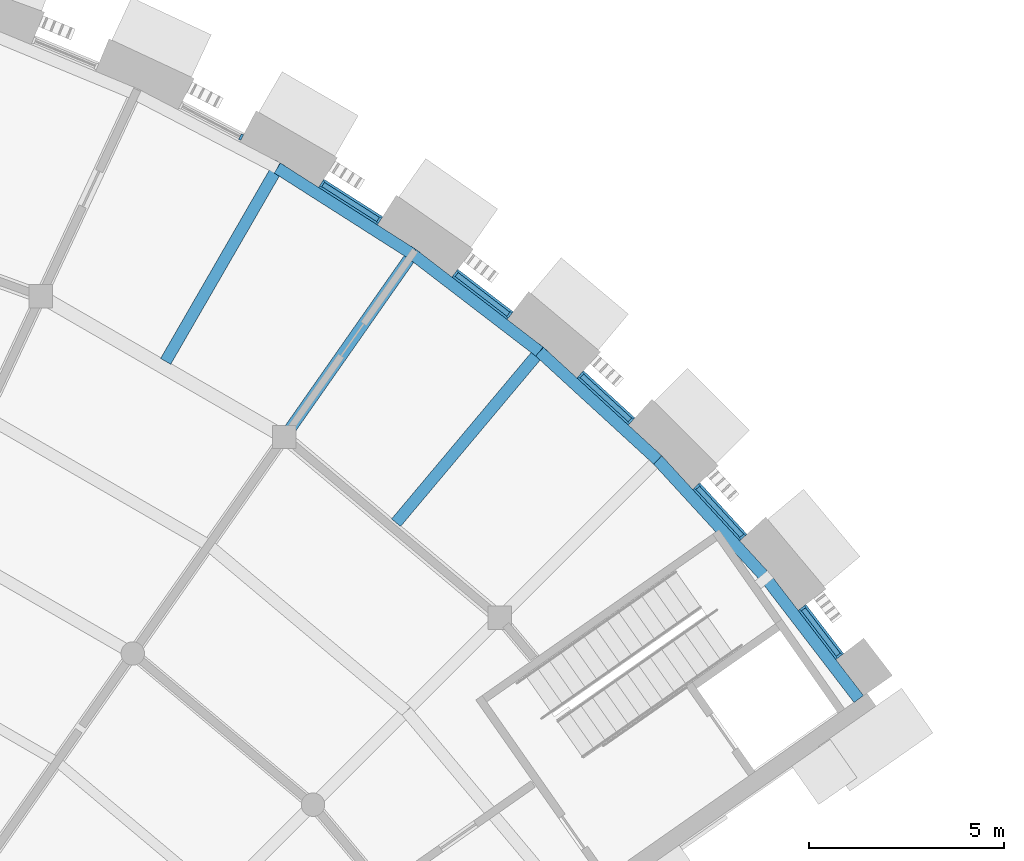
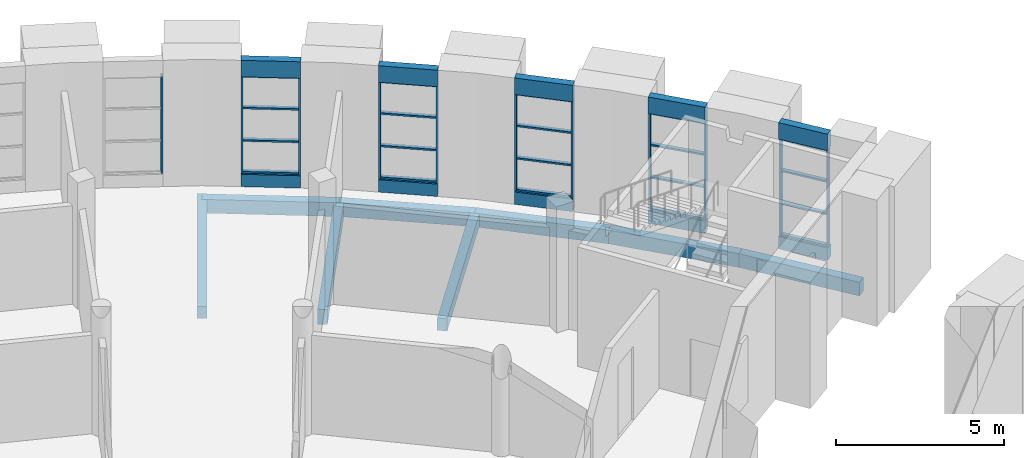
# One storey, part 25 of 66: 31 members, 18 beams, 6 elements without a shape of their own.
"""IFC4 building model written with IfcOpenShell, lengths in metres."""

from ifc_helpers import new_model, si_unit, direction, frame, origin, origin_2d, place, context, subcontext, project, spatial, rectangle, extrude, material, layer, layer_set, material_profile, profile_set, type_object, element, aggregate, save


model = new_model("IFC4")

# Units and contexts
model_context = context("Model", 3, precision=1e-05, world=origin(), true_north=direction((0.0, 1.0)))
body_context = subcontext(model_context, "Body", "Model", "MODEL_VIEW")
ifc_project = project(units=[si_unit("LENGTHUNIT", "METRE"), si_unit("AREAUNIT", "SQUARE_METRE"), si_unit("VOLUMEUNIT", "CUBIC_METRE"), si_unit("PLANEANGLEUNIT", "RADIAN"), si_unit("MASSUNIT", "GRAM", prefix="KILO")], contexts=[model_context])

# Site, building, storey
site_placement = place(None, origin())
site = spatial("IfcSite", under=ifc_project, at=site_placement, CompositionType="ELEMENT")
building_placement = place(site_placement, origin())
building = spatial("IfcBuilding", under=site, at=building_placement, Name="Volute Hill Aquarium", CompositionType="ELEMENT")
storey_placement = place(building_placement, frame((0.0, 0.0, 4.60009765625)))
storey = spatial("IfcBuildingStorey", under=building, at=storey_placement, Name="L02", CompositionType="ELEMENT", Elevation=4.60009765625)

# Beam
ifc_material_1 = material(Name="Concrete C35/45", Category="concrete")
ifc_material_profile_1 = material_profile(ifc_material_1, rectangle(XDim=0.300048828125, YDim=0.550048828125, at=origin_2d()), Name="RC beam 300x550")
ifc_profile_set_1 = profile_set([ifc_material_profile_1], Name="Concrete C35/45")
beam_type_1 = type_object("IfcBeamType", Name="Beam 300x550 C35/45", PredefinedType="BEAM", material=ifc_profile_set_1)
beam_1_placement = place(storey_placement, frame((23.681396484375, 33.82080078125, -0.565185546875), z_axis=(0.573602080408, 0.819134087529, 0.0), x_axis=(-0.819134087529, 0.573602080408, 0.0)))
element("IfcBeam", 1, at=beam_1_placement, inside=storey, type_object=beam_type_1, Name="bm/S5/L02/rad2.8", PredefinedType="BEAM", context=body_context, shape_type="SweptSolid", body=[
    extrude(rectangle(XDim=0.300048828125, YDim=0.550048828125, at=origin_2d()), origin(), (0.0, 0.0, 1.0), 5.862548828125),
])

# Curtain wall, members
ifc_material_2 = material(Name="Aluminium", Category="aluminium")
ifc_layer_1 = layer(ifc_material_2, 0.25)
ifc_layer_set_1 = layer_set([ifc_layer_1], Name="Curtain wall niche S5 module 1585")
curtain_wall_type_1 = type_object("IfcCurtainWallType", Name="Curtain wall niche S5 module 1585", PredefinedType="NOTDEFINED", material=ifc_layer_set_1)
curtain_wall_1_placement = place(storey_placement, origin())
curtain_wall_1 = element("IfcCurtainWall", 2, at=curtain_wall_1_placement, inside=storey, type_object=curtain_wall_type_1, Name="Curtain wall CW S5 L02 1", PredefinedType="NOTDEFINED")
ifc_material_3 = material(Name="Aluminium", Category="aluminium")
ifc_material_profile_2 = material_profile(ifc_material_3, rectangle(XDim=0.159912109375, YDim=0.06005859375, at=origin_2d()), Name="Curtain wall mullion S5 60x160")
ifc_profile_set_2 = profile_set([ifc_material_profile_2], Name="Aluminium")
member_type_1 = type_object("IfcMemberType", Name="Curtain wall mullion S5 60x160", PredefinedType="MULLION", material=ifc_profile_set_2)
member_1_placement = place(storey_placement, frame((37.873046875, 28.225830078125, 0.449951171875), z_axis=(0.0, 0.0, 1.0), x_axis=(-0.793360616468, -0.608751946393, 0.0)))
member_1 = element("IfcMember", 3, at=member_1_placement, type_object=member_type_1, Name="CW mullion 1", PredefinedType="MULLION", context=body_context, shape_type="SweptSolid", body=[
    extrude(rectangle(XDim=0.159912109375, YDim=0.06005859375, at=origin_2d()), origin(), (0.0, 0.0, 1.0), 3.550048828125),
])
member_2_placement = place(storey_placement, frame((36.944580078125, 29.43603515625, 0.449951171875), z_axis=(0.0, 0.0, 1.0), x_axis=(-0.793360616468, -0.608751946393, 0.0)))
member_2 = element("IfcMember", 4, at=member_2_placement, type_object=member_type_1, Name="CW mullion 2", PredefinedType="MULLION", context=body_context, shape_type="SweptSolid", body=[
    extrude(rectangle(XDim=0.159912109375, YDim=0.06005859375, at=origin_2d()), origin(), (0.0, 0.0, 1.0), 3.550048828125),
])

ifc_material_4 = material(Name="Aluminium", Category="aluminium")
ifc_layer_2 = layer(ifc_material_4, 0.25)
ifc_layer_set_2 = layer_set([ifc_layer_2], Name="Curtain wall niche S5 module 1786")
curtain_wall_type_2 = type_object("IfcCurtainWallType", Name="Curtain wall niche S5 module 1786", PredefinedType="NOTDEFINED", material=ifc_layer_set_2)
curtain_wall_2_placement = place(storey_placement, origin())
curtain_wall_2 = element("IfcCurtainWall", 5, at=curtain_wall_2_placement, inside=storey, type_object=curtain_wall_type_2, Name="Curtain wall CW S5 L02 2", PredefinedType="NOTDEFINED")
member_3_placement = place(storey_placement, frame((35.404296875, 31.271728515625, 0.449951171875), z_axis=(0.0, 0.0, 1.0), x_axis=(-0.737282446313, -0.675584631529, 0.0)))
member_3 = element("IfcMember", 6, at=member_3_placement, type_object=member_type_1, Name="CW mullion 1", PredefinedType="MULLION", context=body_context, shape_type="SweptSolid", body=[
    extrude(rectangle(XDim=0.159912109375, YDim=0.06005859375, at=origin_2d()), origin(), (0.0, 0.0, 1.0), 3.550048828125),
])
member_4_placement = place(storey_placement, frame((34.238525390625, 32.544189453125, 0.449951171875), z_axis=(0.0, 0.0, 1.0), x_axis=(-0.737282446313, -0.675584631529, 0.0)))
member_4 = element("IfcMember", 7, at=member_4_placement, type_object=member_type_1, Name="CW mullion 2", PredefinedType="MULLION", context=body_context, shape_type="SweptSolid", body=[
    extrude(rectangle(XDim=0.159912109375, YDim=0.06005859375, at=origin_2d()), origin(), (0.0, 0.0, 1.0), 3.550048828125),
])

curtain_wall_3_placement = place(storey_placement, origin())
curtain_wall_3 = element("IfcCurtainWall", 8, at=curtain_wall_3_placement, inside=storey, type_object=curtain_wall_type_2, Name="Curtain wall CW S5 L02 3", PredefinedType="NOTDEFINED")
member_5_placement = place(storey_placement, frame((32.5439453125, 34.238525390625, 0.449951171875), z_axis=(0.0, 0.0, 1.0), x_axis=(-0.675584631529, -0.737282446313, 0.0)))
member_5 = element("IfcMember", 9, at=member_5_placement, type_object=member_type_1, Name="CW mullion 1", PredefinedType="MULLION", context=body_context, shape_type="SweptSolid", body=[
    extrude(rectangle(XDim=0.159912109375, YDim=0.06005859375, at=origin_2d()), origin(), (0.0, 0.0, 1.0), 3.550048828125),
])
member_6_placement = place(storey_placement, frame((31.271728515625, 35.404296875, 0.449951171875), z_axis=(0.0, 0.0, 1.0), x_axis=(-0.675584631529, -0.737282446313, 0.0)))
member_6 = element("IfcMember", 10, at=member_6_placement, type_object=member_type_1, Name="CW mullion 2", PredefinedType="MULLION", context=body_context, shape_type="SweptSolid", body=[
    extrude(rectangle(XDim=0.159912109375, YDim=0.06005859375, at=origin_2d()), origin(), (0.0, 0.0, 1.0), 3.550048828125),
])

curtain_wall_4_placement = place(storey_placement, origin())
curtain_wall_4 = element("IfcCurtainWall", 11, at=curtain_wall_4_placement, inside=storey, type_object=curtain_wall_type_2, Name="Curtain wall CW S5 L02 4", PredefinedType="NOTDEFINED")
member_7_placement = place(storey_placement, frame((29.43603515625, 36.944580078125, 0.449951171875), z_axis=(0.0, 0.0, 1.0), x_axis=(-0.608754932261, -0.793358325379, 0.0)))
member_7 = element("IfcMember", 12, at=member_7_placement, type_object=member_type_1, Name="CW mullion 1", PredefinedType="MULLION", context=body_context, shape_type="SweptSolid", body=[
    extrude(rectangle(XDim=0.159912109375, YDim=0.06005859375, at=origin_2d()), origin(), (0.0, 0.0, 1.0), 3.550048828125),
])
member_8_placement = place(storey_placement, frame((28.067138671875, 37.9951171875, 0.449951171875), z_axis=(0.0, 0.0, 1.0), x_axis=(-0.608754932261, -0.793358325379, 0.0)))
member_8 = element("IfcMember", 13, at=member_8_placement, type_object=member_type_1, Name="CW mullion 2", PredefinedType="MULLION", context=body_context, shape_type="SweptSolid", body=[
    extrude(rectangle(XDim=0.159912109375, YDim=0.06005859375, at=origin_2d()), origin(), (0.0, 0.0, 1.0), 3.550048828125),
])

curtain_wall_5_placement = place(storey_placement, origin())
curtain_wall_5 = element("IfcCurtainWall", 14, at=curtain_wall_5_placement, inside=storey, type_object=curtain_wall_type_2, Name="Curtain wall CW S5 L02 5", PredefinedType="NOTDEFINED")
member_9_placement = place(storey_placement, frame((26.10400390625, 39.36962890625, 0.449951171875), z_axis=(0.0, 0.0, 1.0), x_axis=(-0.537309538629, -0.843385119444, 0.0)))
member_9 = element("IfcMember", 15, at=member_9_placement, type_object=member_type_1, Name="CW mullion 1", PredefinedType="MULLION", context=body_context, shape_type="SweptSolid", body=[
    extrude(rectangle(XDim=0.159912109375, YDim=0.06005859375, at=origin_2d()), origin(), (0.0, 0.0, 1.0), 3.550048828125),
])
member_10_placement = place(storey_placement, frame((24.648681640625, 40.296630859375, 0.449951171875), z_axis=(0.0, 0.0, 1.0), x_axis=(-0.537309538629, -0.843385119444, 0.0)))
member_10 = element("IfcMember", 16, at=member_10_placement, type_object=member_type_1, Name="CW mullion 2", PredefinedType="MULLION", context=body_context, shape_type="SweptSolid", body=[
    extrude(rectangle(XDim=0.159912109375, YDim=0.06005859375, at=origin_2d()), origin(), (0.0, 0.0, 1.0), 3.550048828125),
])

# Curtain wall, member
curtain_wall_6_placement = place(storey_placement, origin())
curtain_wall_6 = element("IfcCurtainWall", 17, at=curtain_wall_6_placement, inside=storey, type_object=curtain_wall_type_2, Name="Curtain wall CW S5 L02 6", PredefinedType="NOTDEFINED")
member_11_placement = place(storey_placement, frame((22.573486328125, 41.494873046875, 0.449951171875), z_axis=(0.0, 0.0, 1.0), x_axis=(-0.461755077763, -0.887007467928, 0.0)))
member_11 = element("IfcMember", 18, at=member_11_placement, type_object=member_type_1, Name="CW mullion 1", PredefinedType="MULLION", context=body_context, shape_type="SweptSolid", body=[
    extrude(rectangle(XDim=0.159912109375, YDim=0.06005859375, at=origin_2d()), origin(), (0.0, 0.0, 1.0), 3.550048828125),
])
aggregate(curtain_wall_6, [member_11])

# Member
ifc_material_5 = material(Name="Aluminium", Category="aluminium")
ifc_material_profile_3 = material_profile(ifc_material_5, rectangle(XDim=0.1298828125, YDim=0.06005859375, at=origin_2d()), Name="Curtain wall transom S5 60x130")
ifc_profile_set_3 = profile_set([ifc_material_profile_3], Name="Aluminium")
member_type_2 = type_object("IfcMemberType", Name="Curtain wall transom S5 60x130", PredefinedType="USERDEFINED", material=ifc_profile_set_3)
member_12_placement = place(storey_placement, frame((37.85498046875, 28.249755859375, 0.47998046875), z_axis=(-0.608760263302, 0.793354234768, 0.0), x_axis=(-0.793354234768, -0.608760263302, 0.0)))
member_12 = element("IfcMember", 19, at=member_12_placement, type_object=member_type_2, Name="CW transom 1.1", ObjectType="TRANSOM", PredefinedType="USERDEFINED", context=body_context, shape_type="SweptSolid", body=[
    extrude(rectangle(XDim=0.1298828125, YDim=0.06005859375, at=origin_2d()), origin(), (0.0, 0.0, 1.0), 1.46533203125),
])

member_13_placement = place(storey_placement, frame((37.85498046875, 28.249755859375, 1.63330078125), z_axis=(-0.608760263302, 0.793354234768, 0.0), x_axis=(-0.793354234768, -0.608760263302, 0.0)))
member_13 = element("IfcMember", 20, at=member_13_placement, type_object=member_type_2, Name="CW transom 1.2", ObjectType="TRANSOM", PredefinedType="USERDEFINED", context=body_context, shape_type="SweptSolid", body=[
    extrude(rectangle(XDim=0.1298828125, YDim=0.06005859375, at=origin_2d()), origin(), (0.0, 0.0, 1.0), 1.46533203125),
])

member_14_placement = place(storey_placement, frame((37.85498046875, 28.249755859375, 2.816650390625), z_axis=(-0.608760263302, 0.793354234768, 0.0), x_axis=(-0.793354234768, -0.608760263302, 0.0)))
member_14 = element("IfcMember", 21, at=member_14_placement, type_object=member_type_2, Name="CW transom 1.3", ObjectType="TRANSOM", PredefinedType="USERDEFINED", context=body_context, shape_type="SweptSolid", body=[
    extrude(rectangle(XDim=0.1298828125, YDim=0.06005859375, at=origin_2d()), origin(), (0.0, 0.0, 1.0), 1.46533203125),
])

member_15_placement = place(storey_placement, frame((37.85498046875, 28.249755859375, 3.969970703125), z_axis=(-0.608760263302, 0.793354234768, 0.0), x_axis=(-0.793354234768, -0.608760263302, 0.0)))
member_15 = element("IfcMember", 22, at=member_15_placement, type_object=member_type_2, Name="CW transom 1.4", ObjectType="TRANSOM", PredefinedType="USERDEFINED", context=body_context, shape_type="SweptSolid", body=[
    extrude(rectangle(XDim=0.1298828125, YDim=0.06005859375, at=origin_2d()), origin(), (0.0, 0.0, 1.0), 1.46533203125),
])

aggregate(curtain_wall_1, [member_1, member_2, member_12, member_13, member_14, member_15])

member_16_placement = place(storey_placement, frame((35.384033203125, 31.2939453125, 0.47998046875), z_axis=(-0.675578590257, 0.73728798199, 0.0), x_axis=(-0.73728798199, -0.675578590257, 0.0)))
member_16 = element("IfcMember", 23, at=member_16_placement, type_object=member_type_2, Name="CW transom 1.1", ObjectType="TRANSOM", PredefinedType="USERDEFINED", context=body_context, shape_type="SweptSolid", body=[
    extrude(rectangle(XDim=0.1298828125, YDim=0.06005859375, at=origin_2d()), origin(), (0.0, 0.0, 1.0), 1.66552734375),
])

member_17_placement = place(storey_placement, frame((35.384033203125, 31.2939453125, 1.63330078125), z_axis=(-0.675578590257, 0.73728798199, 0.0), x_axis=(-0.73728798199, -0.675578590257, 0.0)))
member_17 = element("IfcMember", 24, at=member_17_placement, type_object=member_type_2, Name="CW transom 1.2", ObjectType="TRANSOM", PredefinedType="USERDEFINED", context=body_context, shape_type="SweptSolid", body=[
    extrude(rectangle(XDim=0.1298828125, YDim=0.06005859375, at=origin_2d()), origin(), (0.0, 0.0, 1.0), 1.66552734375),
])

member_18_placement = place(storey_placement, frame((35.384033203125, 31.2939453125, 2.816650390625), z_axis=(-0.675578590257, 0.73728798199, 0.0), x_axis=(-0.73728798199, -0.675578590257, 0.0)))
member_18 = element("IfcMember", 25, at=member_18_placement, type_object=member_type_2, Name="CW transom 1.3", ObjectType="TRANSOM", PredefinedType="USERDEFINED", context=body_context, shape_type="SweptSolid", body=[
    extrude(rectangle(XDim=0.1298828125, YDim=0.06005859375, at=origin_2d()), origin(), (0.0, 0.0, 1.0), 1.66552734375),
])

member_19_placement = place(storey_placement, frame((35.384033203125, 31.2939453125, 3.969970703125), z_axis=(-0.675578590257, 0.73728798199, 0.0), x_axis=(-0.73728798199, -0.675578590257, 0.0)))
member_19 = element("IfcMember", 26, at=member_19_placement, type_object=member_type_2, Name="CW transom 1.4", ObjectType="TRANSOM", PredefinedType="USERDEFINED", context=body_context, shape_type="SweptSolid", body=[
    extrude(rectangle(XDim=0.1298828125, YDim=0.06005859375, at=origin_2d()), origin(), (0.0, 0.0, 1.0), 1.66552734375),
])

aggregate(curtain_wall_2, [member_3, member_4, member_16, member_17, member_18, member_19])

member_20_placement = place(storey_placement, frame((32.52197265625, 34.2587890625, 0.47998046875), z_axis=(-0.73728798199, 0.675578590257, 0.0), x_axis=(-0.675578590257, -0.73728798199, 0.0)))
member_20 = element("IfcMember", 27, at=member_20_placement, type_object=member_type_2, Name="CW transom 1.1", ObjectType="TRANSOM", PredefinedType="USERDEFINED", context=body_context, shape_type="SweptSolid", body=[
    extrude(rectangle(XDim=0.1298828125, YDim=0.06005859375, at=origin_2d()), origin(), (0.0, 0.0, 1.0), 1.66552734375),
])

member_21_placement = place(storey_placement, frame((32.52197265625, 34.2587890625, 1.63330078125), z_axis=(-0.73728798199, 0.675578590257, 0.0), x_axis=(-0.675578590257, -0.73728798199, 0.0)))
member_21 = element("IfcMember", 28, at=member_21_placement, type_object=member_type_2, Name="CW transom 1.2", ObjectType="TRANSOM", PredefinedType="USERDEFINED", context=body_context, shape_type="SweptSolid", body=[
    extrude(rectangle(XDim=0.1298828125, YDim=0.06005859375, at=origin_2d()), origin(), (0.0, 0.0, 1.0), 1.66552734375),
])

member_22_placement = place(storey_placement, frame((32.52197265625, 34.2587890625, 2.816650390625), z_axis=(-0.73728798199, 0.675578590257, 0.0), x_axis=(-0.675578590257, -0.73728798199, 0.0)))
member_22 = element("IfcMember", 29, at=member_22_placement, type_object=member_type_2, Name="CW transom 1.3", ObjectType="TRANSOM", PredefinedType="USERDEFINED", context=body_context, shape_type="SweptSolid", body=[
    extrude(rectangle(XDim=0.1298828125, YDim=0.06005859375, at=origin_2d()), origin(), (0.0, 0.0, 1.0), 1.66552734375),
])

member_23_placement = place(storey_placement, frame((32.52197265625, 34.2587890625, 3.969970703125), z_axis=(-0.73728798199, 0.675578590257, 0.0), x_axis=(-0.675578590257, -0.73728798199, 0.0)))
member_23 = element("IfcMember", 30, at=member_23_placement, type_object=member_type_2, Name="CW transom 1.4", ObjectType="TRANSOM", PredefinedType="USERDEFINED", context=body_context, shape_type="SweptSolid", body=[
    extrude(rectangle(XDim=0.1298828125, YDim=0.06005859375, at=origin_2d()), origin(), (0.0, 0.0, 1.0), 1.66552734375),
])

aggregate(curtain_wall_3, [member_5, member_6, member_20, member_21, member_22, member_23])

member_24_placement = place(storey_placement, frame((29.412353515625, 36.962890625, 0.47998046875), z_axis=(-0.793391634362, 0.608711519953, 0.0), x_axis=(-0.608711519953, -0.793391634362, 0.0)))
member_24 = element("IfcMember", 31, at=member_24_placement, type_object=member_type_2, Name="CW transom 1.1", ObjectType="TRANSOM", PredefinedType="USERDEFINED", context=body_context, shape_type="SweptSolid", body=[
    extrude(rectangle(XDim=0.1298828125, YDim=0.06005859375, at=origin_2d()), origin(), (0.0, 0.0, 1.0), 1.665771484375),
])

member_25_placement = place(storey_placement, frame((29.412353515625, 36.962890625, 1.63330078125), z_axis=(-0.793391634362, 0.608711519953, 0.0), x_axis=(-0.608711519953, -0.793391634362, 0.0)))
member_25 = element("IfcMember", 32, at=member_25_placement, type_object=member_type_2, Name="CW transom 1.2", ObjectType="TRANSOM", PredefinedType="USERDEFINED", context=body_context, shape_type="SweptSolid", body=[
    extrude(rectangle(XDim=0.1298828125, YDim=0.06005859375, at=origin_2d()), origin(), (0.0, 0.0, 1.0), 1.665771484375),
])

member_26_placement = place(storey_placement, frame((29.412353515625, 36.962890625, 2.816650390625), z_axis=(-0.793391634362, 0.608711519953, 0.0), x_axis=(-0.608711519953, -0.793391634362, 0.0)))
member_26 = element("IfcMember", 33, at=member_26_placement, type_object=member_type_2, Name="CW transom 1.3", ObjectType="TRANSOM", PredefinedType="USERDEFINED", context=body_context, shape_type="SweptSolid", body=[
    extrude(rectangle(XDim=0.1298828125, YDim=0.06005859375, at=origin_2d()), origin(), (0.0, 0.0, 1.0), 1.665771484375),
])

member_27_placement = place(storey_placement, frame((29.412353515625, 36.962890625, 3.969970703125), z_axis=(-0.793391634362, 0.608711519953, 0.0), x_axis=(-0.608711519953, -0.793391634362, 0.0)))
member_27 = element("IfcMember", 34, at=member_27_placement, type_object=member_type_2, Name="CW transom 1.4", ObjectType="TRANSOM", PredefinedType="USERDEFINED", context=body_context, shape_type="SweptSolid", body=[
    extrude(rectangle(XDim=0.1298828125, YDim=0.06005859375, at=origin_2d()), origin(), (0.0, 0.0, 1.0), 1.665771484375),
])

aggregate(curtain_wall_4, [member_7, member_8, member_24, member_25, member_26, member_27])

member_28_placement = place(storey_placement, frame((26.078857421875, 39.3857421875, 0.47998046875), z_axis=(-0.843438091361, 0.537226382488, 0.0), x_axis=(-0.537226382488, -0.843438091361, 0.0)))
member_28 = element("IfcMember", 35, at=member_28_placement, type_object=member_type_2, Name="CW transom 1.1", ObjectType="TRANSOM", PredefinedType="USERDEFINED", context=body_context, shape_type="SweptSolid", body=[
    extrude(rectangle(XDim=0.1298828125, YDim=0.06005859375, at=origin_2d()), origin(), (0.0, 0.0, 1.0), 1.66552734375),
])

member_29_placement = place(storey_placement, frame((26.078857421875, 39.3857421875, 1.63330078125), z_axis=(-0.843438091361, 0.537226382488, 0.0), x_axis=(-0.537226382488, -0.843438091361, 0.0)))
member_29 = element("IfcMember", 36, at=member_29_placement, type_object=member_type_2, Name="CW transom 1.2", ObjectType="TRANSOM", PredefinedType="USERDEFINED", context=body_context, shape_type="SweptSolid", body=[
    extrude(rectangle(XDim=0.1298828125, YDim=0.06005859375, at=origin_2d()), origin(), (0.0, 0.0, 1.0), 1.66552734375),
])

member_30_placement = place(storey_placement, frame((26.078857421875, 39.3857421875, 2.816650390625), z_axis=(-0.843438091361, 0.537226382488, 0.0), x_axis=(-0.537226382488, -0.843438091361, 0.0)))
member_30 = element("IfcMember", 37, at=member_30_placement, type_object=member_type_2, Name="CW transom 1.3", ObjectType="TRANSOM", PredefinedType="USERDEFINED", context=body_context, shape_type="SweptSolid", body=[
    extrude(rectangle(XDim=0.1298828125, YDim=0.06005859375, at=origin_2d()), origin(), (0.0, 0.0, 1.0), 1.66552734375),
])

member_31_placement = place(storey_placement, frame((26.078857421875, 39.3857421875, 3.969970703125), z_axis=(-0.843438091361, 0.537226382488, 0.0), x_axis=(-0.537226382488, -0.843438091361, 0.0)))
member_31 = element("IfcMember", 38, at=member_31_placement, type_object=member_type_2, Name="CW transom 1.4", ObjectType="TRANSOM", PredefinedType="USERDEFINED", context=body_context, shape_type="SweptSolid", body=[
    extrude(rectangle(XDim=0.1298828125, YDim=0.06005859375, at=origin_2d()), origin(), (0.0, 0.0, 1.0), 1.66552734375),
])

aggregate(curtain_wall_5, [member_9, member_10, member_28, member_29, member_30, member_31])

# Beams
ifc_material_6 = material(Name="Concrete C35/45", Category="concrete")
ifc_material_profile_4 = material_profile(ifc_material_6, rectangle(XDim=0.300048828125, YDim=0.5, at=origin_2d()), Name="RC edge beam 300x500")
ifc_profile_set_4 = profile_set([ifc_material_profile_4], Name="Concrete C35/45")
beam_type_2 = type_object("IfcBeamType", Name="Edge beam 300x500 C35/45", PredefinedType="BEAM", material=ifc_profile_set_4)
beam_2_placement = place(storey_placement, frame((38.378173828125, 27.11669921875, -0.5400390625), z_axis=(-0.608757400599, 0.793356431382, 0.0), x_axis=(-0.793356431382, -0.608757400599, 0.0)))
element("IfcBeam", 39, at=beam_2_placement, inside=storey, type_object=beam_type_2, Name="bm/S5/L02/edgeO.42", PredefinedType="BEAM", context=body_context, shape_type="SweptSolid", body=[
    extrude(rectangle(XDim=0.300048828125, YDim=0.5, at=origin_2d()), origin(), (0.0, 0.0, 1.0), 3.900146484375),
])
for number, where, z_axis, x_axis, name in (
    (40, (36.00390625, 30.2109375, -0.5400390625), (-0.675589799899, 0.737277710413, 0.0), (-0.737277710413, -0.675589799899, 0.0), "bm/S5/L02/edgeO.43"),
    (41, (33.23388671875, 33.23388671875, -0.5400390625), (-0.737277710413, 0.675589799899, 0.0), (-0.675589799899, -0.737277710413, 0.0), "bm/S5/L02/edgeO.44"),
):
    element("IfcBeam", number, at=place(storey_placement, frame(where, z_axis=z_axis, x_axis=x_axis)), inside=storey, type_object=beam_type_2, Name=name, PredefinedType="BEAM", context=body_context, shape_type="SweptSolid", body=[
        extrude(rectangle(XDim=0.300048828125, YDim=0.5, at=origin_2d()), origin(), (0.0, 0.0, 1.0), 4.10009765625),
    ])
beam_3_placement = place(storey_placement, frame((30.2109375, 36.00390625, -0.5400390625), z_axis=(-0.793349451978, 0.608766496324, 0.0), x_axis=(-0.608766496324, -0.793349451978, 0.0)))
element("IfcBeam", 42, at=beam_3_placement, inside=storey, type_object=beam_type_2, Name="bm/S5/L02/edgeO.45", PredefinedType="BEAM", context=body_context, shape_type="SweptSolid", body=[
    extrude(rectangle(XDim=0.300048828125, YDim=0.5, at=origin_2d()), origin(), (0.0, 0.0, 1.0), 4.100341796875),
])
beam_4_placement = place(storey_placement, frame((26.9580078125, 38.5, -0.5400390625), z_axis=(-0.843376960623, 0.537322344864, 0.0), x_axis=(-0.537322344864, -0.843376960623, 0.0)))
element("IfcBeam", 43, at=beam_4_placement, inside=storey, type_object=beam_type_2, Name="bm/S5/L02/edgeO.46", PredefinedType="BEAM", context=body_context, shape_type="SweptSolid", body=[
    extrude(rectangle(XDim=0.300048828125, YDim=0.5, at=origin_2d()), origin(), (0.0, 0.0, 1.0), 4.10009765625),
])
ifc_material_7 = material(Name="Concrete C35/45", Category="concrete")
ifc_material_profile_5 = material_profile(ifc_material_7, rectangle(XDim=0.300048828125, YDim=0.449951171875, at=origin_2d()), Name="RC joist 300x450")
ifc_profile_set_5 = profile_set([ifc_material_profile_5], Name="Concrete C35/45")
beam_type_3 = type_object("IfcBeamType", Name="Joist 300x450 C35/45", PredefinedType="BEAM", material=ifc_profile_set_5)
for number, where, z_axis, x_axis, name in (
    (44, (26.5390625, 31.628173828125, -0.51513671875), (0.642802306636, 0.766032110674, 0.0), (-0.766032110674, 0.642802306636, 0.0), "bm/S5/L02/rjst2"),
    (45, (20.643798828125, 35.756103515625, -0.51513671875), (0.500000035988, 0.866025383007, 0.0), (-0.866025383007, 0.500000035988, 0.0), "bm/S5/L02/rjst3"),
):
    element("IfcBeam", number, at=place(storey_placement, frame(where, z_axis=z_axis, x_axis=x_axis)), inside=storey, type_object=beam_type_3, Name=name, PredefinedType="BEAM", context=body_context, shape_type="SweptSolid", body=[
        extrude(rectangle(XDim=0.300048828125, YDim=0.449951171875, at=origin_2d()), origin(), (0.0, 0.0, 1.0), 5.8623046875),
    ])
ifc_material_8 = material(Name="Concrete C35/45", Category="concrete")
ifc_material_profile_6 = material_profile(ifc_material_8, rectangle(XDim=0.25, YDim=0.60009765625, at=origin_2d()), Name="RC beam 250x600")
ifc_profile_set_6 = profile_set([ifc_material_profile_6], Name="Concrete C35/45")
beam_type_4 = type_object("IfcBeamType", Name="Niche head beam RC 250x600 C35/45", PredefinedType="BEAM", material=ifc_profile_set_6)
beam_5_placement = place(storey_placement, frame((37.891357421875, 28.2021484375, 4.2998046875), z_axis=(-0.608735390594, 0.793373319591, 0.0), x_axis=(-0.793373319591, -0.608735390594, 0.0)))
element("IfcBeam", 46, at=beam_5_placement, inside=storey, type_object=beam_type_4, Name="Niche head beam OWB S5 L02 1", PredefinedType="BEAM", context=body_context, shape_type="SweptSolid", body=[
    extrude(rectangle(XDim=0.25, YDim=0.60009765625, at=origin_2d()), origin(), (0.0, 0.0, 1.0), 1.58544921875),
])
for number, where, z_axis, x_axis, name in (
    (47, (35.424560546875, 31.249755859375, 4.2998046875), (-0.675600784767, 0.737267644497, 0.0), (-0.737267644497, -0.675600784767, 0.0), "Niche head beam OWB S5 L02 2"),
    (48, (32.566162109375, 34.21826171875, 4.2998046875), (-0.737267644497, 0.675600784767, 0.0), (-0.675600784767, -0.737267644497, 0.0), "Niche head beam OWB S5 L02 3"),
):
    element("IfcBeam", number, at=place(storey_placement, frame(where, z_axis=z_axis, x_axis=x_axis)), inside=storey, type_object=beam_type_4, Name=name, PredefinedType="BEAM", context=body_context, shape_type="SweptSolid", body=[
        extrude(rectangle(XDim=0.25, YDim=0.60009765625, at=origin_2d()), origin(), (0.0, 0.0, 1.0), 1.785400390625),
    ])
beam_6_placement = place(storey_placement, frame((29.4599609375, 36.92626953125, 4.2998046875), z_axis=(-0.793340036434, 0.608778766541, 0.0), x_axis=(-0.608778766541, -0.793340036434, 0.0)))
element("IfcBeam", 49, at=beam_6_placement, inside=storey, type_object=beam_type_4, Name="Niche head beam OWB S5 L02 4", PredefinedType="BEAM", context=body_context, shape_type="SweptSolid", body=[
    extrude(rectangle(XDim=0.25, YDim=0.60009765625, at=origin_2d()), origin(), (0.0, 0.0, 1.0), 1.785888671875),
])
beam_7_placement = place(storey_placement, frame((26.12939453125, 39.353515625, 4.2998046875), z_axis=(-0.843419289708, 0.537255899686, 0.0), x_axis=(-0.537255899686, -0.843419289708, 0.0)))
element("IfcBeam", 50, at=beam_7_placement, inside=storey, type_object=beam_type_4, Name="Niche head beam OWB S5 L02 5", PredefinedType="BEAM", context=body_context, shape_type="SweptSolid", body=[
    extrude(rectangle(XDim=0.25, YDim=0.60009765625, at=origin_2d()), origin(), (0.0, 0.0, 1.0), 1.785400390625),
])
ifc_material_9 = material(Name="Concrete C35/45", Category="concrete")
ifc_material_profile_7 = material_profile(ifc_material_9, rectangle(XDim=0.25, YDim=0.449951171875, at=origin_2d()), Name="RC beam 250x450")
ifc_profile_set_7 = profile_set([ifc_material_profile_7], Name="Concrete C35/45")
beam_type_5 = type_object("IfcBeamType", Name="Niche sill beam RC 250x450 C35/45", PredefinedType="BEAM", material=ifc_profile_set_7)
beam_8_placement = place(storey_placement, frame((37.891357421875, 28.2021484375, 0.224853515625), z_axis=(-0.608735390594, 0.793373319591, 0.0), x_axis=(-0.793373319591, -0.608735390594, 0.0)))
element("IfcBeam", 51, at=beam_8_placement, inside=storey, type_object=beam_type_5, Name="Niche sill beam OWB S5 L02 1", PredefinedType="BEAM", context=body_context, shape_type="SweptSolid", body=[
    extrude(rectangle(XDim=0.25, YDim=0.449951171875, at=origin_2d()), origin(), (0.0, 0.0, 1.0), 1.58544921875),
])
for number, where, z_axis, x_axis, name in (
    (52, (35.424560546875, 31.249755859375, 0.224853515625), (-0.675600784767, 0.737267644497, 0.0), (-0.737267644497, -0.675600784767, 0.0), "Niche sill beam OWB S5 L02 2"),
    (53, (32.566162109375, 34.21826171875, 0.224853515625), (-0.737267644497, 0.675600784767, 0.0), (-0.675600784767, -0.737267644497, 0.0), "Niche sill beam OWB S5 L02 3"),
):
    element("IfcBeam", number, at=place(storey_placement, frame(where, z_axis=z_axis, x_axis=x_axis)), inside=storey, type_object=beam_type_5, Name=name, PredefinedType="BEAM", context=body_context, shape_type="SweptSolid", body=[
        extrude(rectangle(XDim=0.25, YDim=0.449951171875, at=origin_2d()), origin(), (0.0, 0.0, 1.0), 1.785400390625),
    ])
beam_9_placement = place(storey_placement, frame((29.4599609375, 36.92626953125, 0.224853515625), z_axis=(-0.793340036434, 0.608778766541, 0.0), x_axis=(-0.608778766541, -0.793340036434, 0.0)))
element("IfcBeam", 54, at=beam_9_placement, inside=storey, type_object=beam_type_5, Name="Niche sill beam OWB S5 L02 4", PredefinedType="BEAM", context=body_context, shape_type="SweptSolid", body=[
    extrude(rectangle(XDim=0.25, YDim=0.449951171875, at=origin_2d()), origin(), (0.0, 0.0, 1.0), 1.785888671875),
])
beam_10_placement = place(storey_placement, frame((26.12939453125, 39.353515625, 0.224853515625), z_axis=(-0.843419289708, 0.537255899686, 0.0), x_axis=(-0.537255899686, -0.843419289708, 0.0)))
element("IfcBeam", 55, at=beam_10_placement, inside=storey, type_object=beam_type_5, Name="Niche sill beam OWB S5 L02 5", PredefinedType="BEAM", context=body_context, shape_type="SweptSolid", body=[
    extrude(rectangle(XDim=0.25, YDim=0.449951171875, at=origin_2d()), origin(), (0.0, 0.0, 1.0), 1.785400390625),
])

save(model, "model.ifc")
